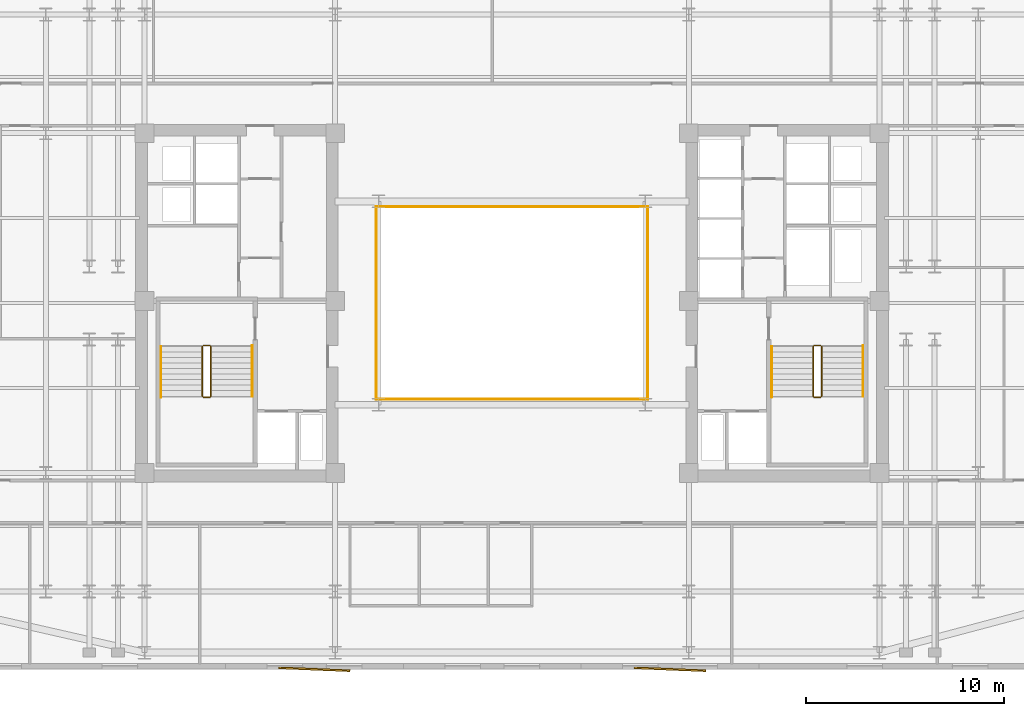
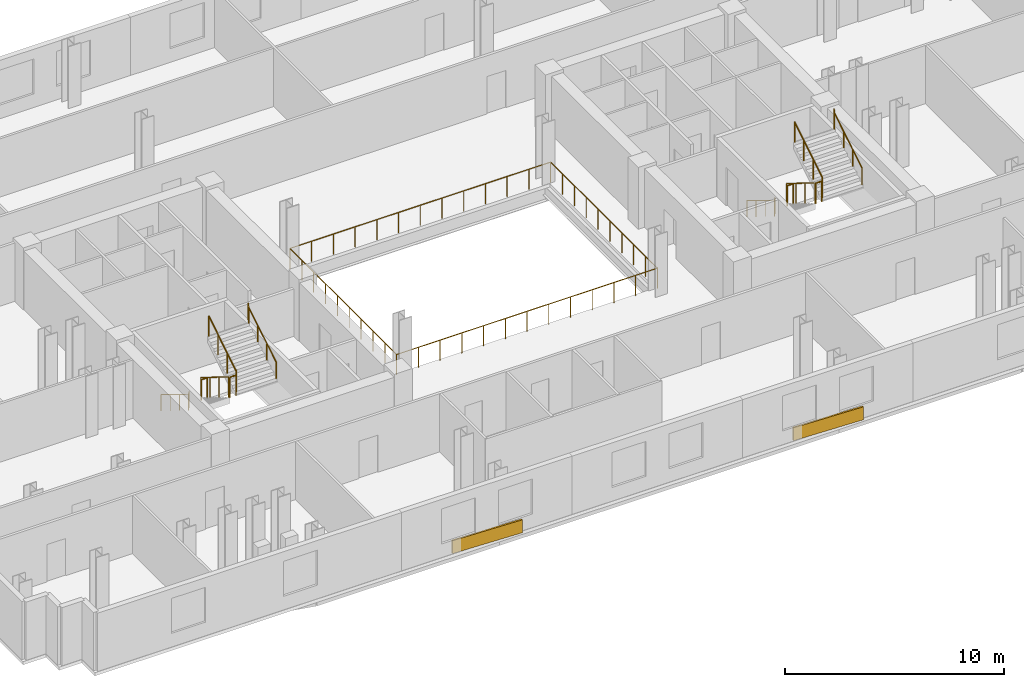
# One storey, part 9 of 10: 16 railings, 2 coverings.
"""IFC4 building model written with IfcOpenShell, lengths in metres."""

from ifc_helpers import new_model, si_unit, direction, frame, origin, origin_2d, place, context, subcontext, project, spatial, rectangle, circle, extrude, material, layer, layer_set, type_object, element, save


model = new_model("IFC4")

# Units and contexts
model_context = context("Model", 3, precision=1e-05, world=origin(), true_north=direction((0.0, 1.0)))
body_context = subcontext(model_context, "Body", "Model", "MODEL_VIEW")
ifc_project = project(units=[si_unit("LENGTHUNIT", "METRE"), si_unit("AREAUNIT", "SQUARE_METRE"), si_unit("VOLUMEUNIT", "CUBIC_METRE"), si_unit("PLANEANGLEUNIT", "RADIAN"), si_unit("MASSUNIT", "GRAM", prefix="KILO")], contexts=[model_context])

# Site, building, storey
site_placement = place(None, origin())
site = spatial("IfcSite", under=ifc_project, at=site_placement, CompositionType="ELEMENT")
building_placement = place(site_placement, origin())
building = spatial("IfcBuilding", under=site, at=building_placement, Name="Velakula Bourse", CompositionType="ELEMENT")
storey_placement = place(building_placement, frame((0.0, 0.0, 141.550048828125)))
storey = spatial("IfcBuildingStorey", under=building, at=storey_placement, Name="L38", CompositionType="ELEMENT", Elevation=141.550048828125)

# Coverings
ifc_material_1 = material(Name="Red kilned clay facing brick masonry", Category="masonry")
ifc_layer = layer(ifc_material_1, 0.090087890625, Name="Red kilned clay facing brick masonry", Category="masonry")
ifc_layer_set = layer_set([ifc_layer], Name="Red kilned clay facing brick masonry")
covering_type = type_object("IfcCoveringType", Name="COV-BRK-FOLD-90", PredefinedType="CLADDING", material=ifc_layer_set)
for number, where, z_axis, x_axis, name in (
    (1, (-10.0, -18.5400390625, 0.0), (0.0, 0.0, 1.0), (0.999158993058, -0.041003738744, 0.0), "L38 Folded Brick Facade Cladding Panel S-B2"),
    (2, (8.0, -18.5400390625, 0.0), (0.0, 0.0, 1.0), (0.999158993058, -0.041003738744, 0.0), "L38 Folded Brick Facade Cladding Panel S-B4"),
):
    element("IfcCovering", number, at=place(storey_placement, frame(where, z_axis=z_axis, x_axis=x_axis)), inside=storey, type_object=covering_type, Name=name, PredefinedType="CLADDING", context=body_context, shape_type="SweptSolid", body=[
        extrude(rectangle(XDim=3.60009765625, YDim=0.090087890625, at=origin_2d()), origin(), (0.0, 0.0, 1.0), 0.719970703125),
    ])

# Railings
ifc_material_2 = material(Name="Brushed grade 316 stainless steel", Category="steel")
railing_type_1 = type_object("IfcRailingType", Name="RLG-ATRIUM-1150", PredefinedType="BALUSTRADE", material=ifc_material_2)
railing_1_placement = place(storey_placement, frame((-6.8798828125, -4.8798828125, 0.0)))
element("IfcRailing", 3, at=railing_1_placement, inside=storey, type_object=railing_type_1, Name="L38 Central Trading Atrium Balustrade S", PredefinedType="BALUSTRADE", context=body_context, shape_type="SweptSolid", body=[
    extrude(circle(Radius=0.02392578125, at=origin_2d()), frame((0.0, 0.0, 1.1259765625), z_axis=(1.0, 0.0, 0.0), x_axis=(0.0, 1.0, 0.0)), (0.0, 0.0, 1.0), 13.759765625),
    extrude(circle(Radius=0.02099609375, at=origin_2d()), origin(), (0.0, 0.0, 1.0), 1.101806640625),
    extrude(circle(Radius=0.02099609375, at=origin_2d()), frame((1.146728515625, 0.0, 0.0)), (0.0, 0.0, 1.0), 1.101806640625),
    extrude(circle(Radius=0.02099609375, at=origin_2d()), frame((2.293212890625, 0.0, 0.0)), (0.0, 0.0, 1.0), 1.101806640625),
    extrude(circle(Radius=0.02099609375, at=origin_2d()), frame((3.43994140625, 0.0, 0.0)), (0.0, 0.0, 1.0), 1.101806640625),
    extrude(circle(Radius=0.02099609375, at=origin_2d()), frame((4.586669921875, 0.0, 0.0)), (0.0, 0.0, 1.0), 1.101806640625),
    extrude(circle(Radius=0.02099609375, at=origin_2d()), frame((5.733154296875, 0.0, 0.0)), (0.0, 0.0, 1.0), 1.101806640625),
    extrude(circle(Radius=0.02099609375, at=origin_2d()), frame((6.8798828125, 0.0, 0.0)), (0.0, 0.0, 1.0), 1.101806640625),
    extrude(circle(Radius=0.02099609375, at=origin_2d()), frame((8.026611328125, 0.0, 0.0)), (0.0, 0.0, 1.0), 1.101806640625),
    extrude(circle(Radius=0.02099609375, at=origin_2d()), frame((9.173095703125, 0.0, 0.0)), (0.0, 0.0, 1.0), 1.101806640625),
    extrude(circle(Radius=0.02099609375, at=origin_2d()), frame((10.31982421875, 0.0, 0.0)), (0.0, 0.0, 1.0), 1.101806640625),
    extrude(circle(Radius=0.02099609375, at=origin_2d()), frame((11.466552734375, 0.0, 0.0)), (0.0, 0.0, 1.0), 1.101806640625),
    extrude(circle(Radius=0.02099609375, at=origin_2d()), frame((12.613037109375, 0.0, 0.0)), (0.0, 0.0, 1.0), 1.101806640625),
    extrude(circle(Radius=0.02099609375, at=origin_2d()), frame((13.759765625, 0.0, 0.0)), (0.0, 0.0, 1.0), 1.101806640625),
])
railing_2_placement = place(storey_placement, frame((6.8798828125, -4.8798828125, 0.0)))
element("IfcRailing", 4, at=railing_2_placement, inside=storey, type_object=railing_type_1, Name="L38 Central Trading Atrium Balustrade E", PredefinedType="BALUSTRADE", context=body_context, shape_type="SweptSolid", body=[
    extrude(circle(Radius=0.02392578125, at=origin_2d()), frame((0.0, 0.0, 1.1259765625), z_axis=(0.0, 1.0, 0.0), x_axis=(-1.0, 0.0, 0.0)), (0.0, 0.0, 1.0), 9.759765625),
    extrude(circle(Radius=0.02099609375, at=origin_2d()), origin(), (0.0, 0.0, 1.0), 1.101806640625),
    extrude(circle(Radius=0.02099609375, at=origin_2d()), frame((0.0, 1.08447265625, 0.0)), (0.0, 0.0, 1.0), 1.101806640625),
    extrude(circle(Radius=0.02099609375, at=origin_2d()), frame((0.0, 2.1689453125, 0.0)), (0.0, 0.0, 1.0), 1.101806640625),
    extrude(circle(Radius=0.02099609375, at=origin_2d()), frame((0.0, 3.253173828125, 0.0)), (0.0, 0.0, 1.0), 1.101806640625),
    extrude(circle(Radius=0.02099609375, at=origin_2d()), frame((0.0, 4.337646484375, 0.0)), (0.0, 0.0, 1.0), 1.101806640625),
    extrude(circle(Radius=0.02099609375, at=origin_2d()), frame((0.0, 5.422119140625, 0.0)), (0.0, 0.0, 1.0), 1.101806640625),
    extrude(circle(Radius=0.02099609375, at=origin_2d()), frame((0.0, 6.506591796875, 0.0)), (0.0, 0.0, 1.0), 1.101806640625),
    extrude(circle(Radius=0.02099609375, at=origin_2d()), frame((0.0, 7.5908203125, 0.0)), (0.0, 0.0, 1.0), 1.101806640625),
    extrude(circle(Radius=0.02099609375, at=origin_2d()), frame((0.0, 8.67529296875, 0.0)), (0.0, 0.0, 1.0), 1.101806640625),
    extrude(circle(Radius=0.02099609375, at=origin_2d()), frame((0.0, 9.759765625, 0.0)), (0.0, 0.0, 1.0), 1.101806640625),
])
railing_3_placement = place(storey_placement, frame((6.8798828125, 4.8798828125, 0.0)))
element("IfcRailing", 5, at=railing_3_placement, inside=storey, type_object=railing_type_1, Name="L38 Central Trading Atrium Balustrade N", PredefinedType="BALUSTRADE", context=body_context, shape_type="SweptSolid", body=[
    extrude(circle(Radius=0.02392578125, at=origin_2d()), frame((0.0, 0.0, 1.1259765625), z_axis=(-1.0, 0.0, 0.0), x_axis=(0.0, -1.0, 0.0)), (0.0, 0.0, 1.0), 13.759765625),
    extrude(circle(Radius=0.02099609375, at=origin_2d()), origin(), (0.0, 0.0, 1.0), 1.101806640625),
    extrude(circle(Radius=0.02099609375, at=origin_2d()), frame((-1.146728515625, 0.0, 0.0)), (0.0, 0.0, 1.0), 1.101806640625),
    extrude(circle(Radius=0.02099609375, at=origin_2d()), frame((-2.293212890625, 0.0, 0.0)), (0.0, 0.0, 1.0), 1.101806640625),
    extrude(circle(Radius=0.02099609375, at=origin_2d()), frame((-3.43994140625, 0.0, 0.0)), (0.0, 0.0, 1.0), 1.101806640625),
    extrude(circle(Radius=0.02099609375, at=origin_2d()), frame((-4.586669921875, 0.0, 0.0)), (0.0, 0.0, 1.0), 1.101806640625),
    extrude(circle(Radius=0.02099609375, at=origin_2d()), frame((-5.733154296875, 0.0, 0.0)), (0.0, 0.0, 1.0), 1.101806640625),
    extrude(circle(Radius=0.02099609375, at=origin_2d()), frame((-6.8798828125, 0.0, 0.0)), (0.0, 0.0, 1.0), 1.101806640625),
    extrude(circle(Radius=0.02099609375, at=origin_2d()), frame((-8.026611328125, 0.0, 0.0)), (0.0, 0.0, 1.0), 1.101806640625),
    extrude(circle(Radius=0.02099609375, at=origin_2d()), frame((-9.173095703125, 0.0, 0.0)), (0.0, 0.0, 1.0), 1.101806640625),
    extrude(circle(Radius=0.02099609375, at=origin_2d()), frame((-10.31982421875, 0.0, 0.0)), (0.0, 0.0, 1.0), 1.101806640625),
    extrude(circle(Radius=0.02099609375, at=origin_2d()), frame((-11.466552734375, 0.0, 0.0)), (0.0, 0.0, 1.0), 1.101806640625),
    extrude(circle(Radius=0.02099609375, at=origin_2d()), frame((-12.613037109375, 0.0, 0.0)), (0.0, 0.0, 1.0), 1.101806640625),
    extrude(circle(Radius=0.02099609375, at=origin_2d()), frame((-13.759765625, 0.0, 0.0)), (0.0, 0.0, 1.0), 1.101806640625),
])
railing_4_placement = place(storey_placement, frame((-6.8798828125, 4.8798828125, 0.0)))
element("IfcRailing", 6, at=railing_4_placement, inside=storey, type_object=railing_type_1, Name="L38 Central Trading Atrium Balustrade W", PredefinedType="BALUSTRADE", context=body_context, shape_type="SweptSolid", body=[
    extrude(circle(Radius=0.02392578125, at=origin_2d()), frame((0.0, 0.0, 1.1259765625), z_axis=(0.0, -1.0, 0.0), x_axis=(1.0, 0.0, 0.0)), (0.0, 0.0, 1.0), 9.759765625),
    extrude(circle(Radius=0.02099609375, at=origin_2d()), origin(), (0.0, 0.0, 1.0), 1.101806640625),
    extrude(circle(Radius=0.02099609375, at=origin_2d()), frame((0.0, -1.08447265625, 0.0)), (0.0, 0.0, 1.0), 1.101806640625),
    extrude(circle(Radius=0.02099609375, at=origin_2d()), frame((0.0, -2.1689453125, 0.0)), (0.0, 0.0, 1.0), 1.101806640625),
    extrude(circle(Radius=0.02099609375, at=origin_2d()), frame((0.0, -3.253173828125, 0.0)), (0.0, 0.0, 1.0), 1.101806640625),
    extrude(circle(Radius=0.02099609375, at=origin_2d()), frame((0.0, -4.337646484375, 0.0)), (0.0, 0.0, 1.0), 1.101806640625),
    extrude(circle(Radius=0.02099609375, at=origin_2d()), frame((0.0, -5.422119140625, 0.0)), (0.0, 0.0, 1.0), 1.101806640625),
    extrude(circle(Radius=0.02099609375, at=origin_2d()), frame((0.0, -6.506591796875, 0.0)), (0.0, 0.0, 1.0), 1.101806640625),
    extrude(circle(Radius=0.02099609375, at=origin_2d()), frame((0.0, -7.5908203125, 0.0)), (0.0, 0.0, 1.0), 1.101806640625),
    extrude(circle(Radius=0.02099609375, at=origin_2d()), frame((0.0, -8.67529296875, 0.0)), (0.0, 0.0, 1.0), 1.101806640625),
    extrude(circle(Radius=0.02099609375, at=origin_2d()), frame((0.0, -9.759765625, 0.0)), (0.0, 0.0, 1.0), 1.101806640625),
])
railing_type_2 = type_object("IfcRailingType", Name="RLG-STAIR-GUARD-1150", PredefinedType="BALUSTRADE", material=ifc_material_2)
railing_5_placement = place(storey_placement, frame((-15.672119140625, -2.199951171875, 0.17236328125)))
element("IfcRailing", 7, at=railing_5_placement, inside=storey, type_object=railing_type_2, Name="L38 ST-W1 stair guard 1", PredefinedType="BALUSTRADE", context=body_context, shape_type="SweptSolid", body=[
    extrude(circle(Radius=0.02490234375, at=origin_2d()), frame((0.0, 0.0, 1.125), z_axis=(0.0, -0.851400495292, 0.524516154772), x_axis=(1.0, 0.0, 0.0)), (0.0, 0.0, 1.0), 2.9599609375),
    extrude(circle(Radius=0.02099609375, at=origin_2d()), origin(), (0.0, 0.0, 1.0), 1.099853515625),
    extrude(circle(Radius=0.02099609375, at=origin_2d()), frame((0.0, -0.840087890625, 0.517578125)), (0.0, 0.0, 1.0), 1.099853515625),
    extrude(circle(Radius=0.02099609375, at=origin_2d()), frame((0.0, -1.679931640625, 1.034912109375)), (0.0, 0.0, 1.0), 1.099853515625),
    extrude(circle(Radius=0.02099609375, at=origin_2d()), frame((0.0, -2.52001953125, 1.552490234375)), (0.0, 0.0, 1.0), 1.099853515625),
])
railing_6_placement = place(storey_placement, frame((-15.6220703125, -4.77001953125, 1.724853515625)))
element("IfcRailing", 8, at=railing_6_placement, inside=storey, type_object=railing_type_2, Name="L38 ST-W1 stair guard 2", PredefinedType="BALUSTRADE", context=body_context, shape_type="SweptSolid", body=[
    extrude(circle(Radius=0.02490234375, at=origin_2d()), frame((0.0, 0.0, 1.125), z_axis=(1.0, 0.0, 0.0), x_axis=(0.0, 1.0, 0.0)), (0.0, 0.0, 1.0), 0.323974609375),
    extrude(circle(Radius=0.02099609375, at=origin_2d()), origin(), (0.0, 0.0, 1.0), 1.099853515625),
    extrude(circle(Radius=0.02099609375, at=origin_2d()), frame((0.323974609375, 0.0, 0.0)), (0.0, 0.0, 1.0), 1.099853515625),
])
railing_7_placement = place(storey_placement, frame((-15.248046875, -4.719970703125, 1.8974609375)))
element("IfcRailing", 9, at=railing_7_placement, inside=storey, type_object=railing_type_2, Name="L38 ST-W1 stair guard 3", PredefinedType="BALUSTRADE", context=body_context, shape_type="SweptSolid", body=[
    extrude(circle(Radius=0.02490234375, at=origin_2d()), frame((0.0, 0.0, 1.125), z_axis=(0.0, 0.851400495292, 0.524516154772), x_axis=(-1.0, 0.0, 0.0)), (0.0, 0.0, 1.0), 2.9599609375),
    extrude(circle(Radius=0.02099609375, at=origin_2d()), origin(), (0.0, 0.0, 1.0), 1.099853515625),
    extrude(circle(Radius=0.02099609375, at=origin_2d()), frame((0.0, 0.840087890625, 0.517578125)), (0.0, 0.0, 1.0), 1.099853515625),
    extrude(circle(Radius=0.02099609375, at=origin_2d()), frame((0.0, 1.679931640625, 1.034912109375)), (0.0, 0.0, 1.0), 1.099853515625),
    extrude(circle(Radius=0.02099609375, at=origin_2d()), frame((0.0, 2.52001953125, 1.552490234375)), (0.0, 0.0, 1.0), 1.099853515625),
])
railing_8_placement = place(storey_placement, frame((-15.6220703125, -2.14990234375, 0.0)))
element("IfcRailing", 10, at=railing_8_placement, inside=storey, type_object=railing_type_2, Name="L38 ST-W1 stair guard 4", PredefinedType="BALUSTRADE", context=body_context, shape_type="SweptSolid", body=[
    extrude(circle(Radius=0.02490234375, at=origin_2d()), frame((0.0, 0.0, 1.125), z_axis=(1.0, 0.0, 0.0), x_axis=(0.0, 1.0, 0.0)), (0.0, 0.0, 1.0), 0.323974609375),
    extrude(circle(Radius=0.02099609375, at=origin_2d()), origin(), (0.0, 0.0, 1.0), 1.099853515625),
    extrude(circle(Radius=0.02099609375, at=origin_2d()), frame((0.323974609375, 0.0, 0.0)), (0.0, 0.0, 1.0), 1.099853515625),
])
railing_9_placement = place(storey_placement, frame((15.248046875, -2.199951171875, 0.17236328125)))
element("IfcRailing", 11, at=railing_9_placement, inside=storey, type_object=railing_type_2, Name="L38 ST-E1 stair guard 1", PredefinedType="BALUSTRADE", context=body_context, shape_type="SweptSolid", body=[
    extrude(circle(Radius=0.02490234375, at=origin_2d()), frame((0.0, 0.0, 1.125), z_axis=(0.0, -0.851400495292, 0.524516154772), x_axis=(1.0, 0.0, 0.0)), (0.0, 0.0, 1.0), 2.9599609375),
    extrude(circle(Radius=0.02099609375, at=origin_2d()), origin(), (0.0, 0.0, 1.0), 1.099853515625),
    extrude(circle(Radius=0.02099609375, at=origin_2d()), frame((0.0, -0.840087890625, 0.517578125)), (0.0, 0.0, 1.0), 1.099853515625),
    extrude(circle(Radius=0.02099609375, at=origin_2d()), frame((0.0, -1.679931640625, 1.034912109375)), (0.0, 0.0, 1.0), 1.099853515625),
    extrude(circle(Radius=0.02099609375, at=origin_2d()), frame((0.0, -2.52001953125, 1.552490234375)), (0.0, 0.0, 1.0), 1.099853515625),
])
railing_10_placement = place(storey_placement, frame((15.298095703125, -4.77001953125, 1.724853515625)))
element("IfcRailing", 12, at=railing_10_placement, inside=storey, type_object=railing_type_2, Name="L38 ST-E1 stair guard 2", PredefinedType="BALUSTRADE", context=body_context, shape_type="SweptSolid", body=[
    extrude(circle(Radius=0.02490234375, at=origin_2d()), frame((0.0, 0.0, 1.125), z_axis=(1.0, 0.0, 0.0), x_axis=(0.0, 1.0, 0.0)), (0.0, 0.0, 1.0), 0.323974609375),
    extrude(circle(Radius=0.02099609375, at=origin_2d()), origin(), (0.0, 0.0, 1.0), 1.099853515625),
    extrude(circle(Radius=0.02099609375, at=origin_2d()), frame((0.323974609375, 0.0, 0.0)), (0.0, 0.0, 1.0), 1.099853515625),
])
railing_11_placement = place(storey_placement, frame((15.672119140625, -4.719970703125, 1.8974609375)))
element("IfcRailing", 13, at=railing_11_placement, inside=storey, type_object=railing_type_2, Name="L38 ST-E1 stair guard 3", PredefinedType="BALUSTRADE", context=body_context, shape_type="SweptSolid", body=[
    extrude(circle(Radius=0.02490234375, at=origin_2d()), frame((0.0, 0.0, 1.125), z_axis=(0.0, 0.851400495292, 0.524516154772), x_axis=(-1.0, 0.0, 0.0)), (0.0, 0.0, 1.0), 2.9599609375),
    extrude(circle(Radius=0.02099609375, at=origin_2d()), origin(), (0.0, 0.0, 1.0), 1.099853515625),
    extrude(circle(Radius=0.02099609375, at=origin_2d()), frame((0.0, 0.840087890625, 0.517578125)), (0.0, 0.0, 1.0), 1.099853515625),
    extrude(circle(Radius=0.02099609375, at=origin_2d()), frame((0.0, 1.679931640625, 1.034912109375)), (0.0, 0.0, 1.0), 1.099853515625),
    extrude(circle(Radius=0.02099609375, at=origin_2d()), frame((0.0, 2.52001953125, 1.552490234375)), (0.0, 0.0, 1.0), 1.099853515625),
])
railing_12_placement = place(storey_placement, frame((15.298095703125, -2.14990234375, 0.0)))
element("IfcRailing", 14, at=railing_12_placement, inside=storey, type_object=railing_type_2, Name="L38 ST-E1 stair guard 4", PredefinedType="BALUSTRADE", context=body_context, shape_type="SweptSolid", body=[
    extrude(circle(Radius=0.02490234375, at=origin_2d()), frame((0.0, 0.0, 1.125), z_axis=(1.0, 0.0, 0.0), x_axis=(0.0, 1.0, 0.0)), (0.0, 0.0, 1.0), 0.323974609375),
    extrude(circle(Radius=0.02099609375, at=origin_2d()), origin(), (0.0, 0.0, 1.0), 1.099853515625),
    extrude(circle(Radius=0.02099609375, at=origin_2d()), frame((0.323974609375, 0.0, 0.0)), (0.0, 0.0, 1.0), 1.099853515625),
])
railing_type_3 = type_object("IfcRailingType", Name="RLG-STAIR-HAND-920", PredefinedType="HANDRAIL", material=ifc_material_2)
railing_13_placement = place(storey_placement, frame((-17.77001953125, -2.199951171875, 0.17236328125)))
element("IfcRailing", 15, at=railing_13_placement, inside=storey, type_object=railing_type_3, Name="L38 ST-W1 stair handrail 1", PredefinedType="HANDRAIL", context=body_context, shape_type="SweptSolid", body=[
    extrude(circle(Radius=0.02099609375, at=origin_2d()), frame((0.0, 0.0, 0.89892578125), z_axis=(0.0, -0.851400495292, 0.524516154772), x_axis=(1.0, 0.0, 0.0)), (0.0, 0.0, 1.0), 2.9599609375),
    extrude(circle(Radius=0.02099609375, at=origin_2d()), frame((0.0, -2.52001953125, 2.451416015625), z_axis=(0.0, -0.22596628056, 0.974135124123), x_axis=(1.0, 0.0, 0.0)), (0.0, 0.0, 1.0), 0.17724609375),
    extrude(circle(Radius=0.02099609375, at=origin_2d()), frame((0.0, -2.56005859375, 2.6240234375), z_axis=(0.0, -1.0, 0.0), x_axis=(1.0, 0.0, 0.0)), (0.0, 0.0, 1.0), 0.0048828125),
    extrude(circle(Radius=0.02099609375, at=origin_2d()), origin(), (0.0, 0.0, 1.0), 0.8779296875),
    extrude(circle(Radius=0.02099609375, at=origin_2d()), frame((0.0, -0.840087890625, 0.517578125)), (0.0, 0.0, 1.0), 0.8779296875),
    extrude(circle(Radius=0.02099609375, at=origin_2d()), frame((0.0, -1.679931640625, 1.034912109375)), (0.0, 0.0, 1.0), 0.8779296875),
    extrude(circle(Radius=0.02099609375, at=origin_2d()), frame((0.0, -2.52001953125, 1.552490234375)), (0.0, 0.0, 1.0), 0.8779296875),
    extrude(circle(Radius=0.02099609375, at=origin_2d()), frame((0.0, -2.56005859375, 1.72509765625)), (0.0, 0.0, 1.0), 0.8779296875),
    extrude(circle(Radius=0.02099609375, at=origin_2d()), frame((0.0, -2.56494140625, 1.72509765625)), (0.0, 0.0, 1.0), 0.8779296875),
])
railing_14_placement = place(storey_placement, frame((-13.14990234375, -4.719970703125, 1.8974609375)))
element("IfcRailing", 16, at=railing_14_placement, inside=storey, type_object=railing_type_3, Name="L38 ST-W1 stair handrail 2", PredefinedType="HANDRAIL", context=body_context, shape_type="SweptSolid", body=[
    extrude(circle(Radius=0.02099609375, at=origin_2d()), frame((0.0, 0.0, 0.89892578125), z_axis=(0.0, 0.851400495292, 0.524516154772), x_axis=(-1.0, 0.0, 0.0)), (0.0, 0.0, 1.0), 2.9599609375),
    extrude(circle(Radius=0.02099609375, at=origin_2d()), frame((0.0, 2.52001953125, 2.451416015625), z_axis=(0.0, 0.22596628056, 0.974135124123), x_axis=(-1.0, 0.0, 0.0)), (0.0, 0.0, 1.0), 0.17724609375),
    extrude(circle(Radius=0.02099609375, at=origin_2d()), frame((0.0, 2.56005859375, 2.6240234375), z_axis=(0.0, 1.0, 0.0), x_axis=(-1.0, 0.0, 0.0)), (0.0, 0.0, 1.0), 0.0048828125),
    extrude(circle(Radius=0.02099609375, at=origin_2d()), origin(), (0.0, 0.0, 1.0), 0.8779296875),
    extrude(circle(Radius=0.02099609375, at=origin_2d()), frame((0.0, 0.840087890625, 0.517578125)), (0.0, 0.0, 1.0), 0.8779296875),
    extrude(circle(Radius=0.02099609375, at=origin_2d()), frame((0.0, 1.679931640625, 1.034912109375)), (0.0, 0.0, 1.0), 0.8779296875),
    extrude(circle(Radius=0.02099609375, at=origin_2d()), frame((0.0, 2.52001953125, 1.552490234375)), (0.0, 0.0, 1.0), 0.8779296875),
    extrude(circle(Radius=0.02099609375, at=origin_2d()), frame((0.0, 2.56005859375, 1.72509765625)), (0.0, 0.0, 1.0), 0.8779296875),
    extrude(circle(Radius=0.02099609375, at=origin_2d()), frame((0.0, 2.56494140625, 1.72509765625)), (0.0, 0.0, 1.0), 0.8779296875),
])
railing_15_placement = place(storey_placement, frame((13.14990234375, -2.199951171875, 0.17236328125)))
element("IfcRailing", 17, at=railing_15_placement, inside=storey, type_object=railing_type_3, Name="L38 ST-E1 stair handrail 1", PredefinedType="HANDRAIL", context=body_context, shape_type="SweptSolid", body=[
    extrude(circle(Radius=0.02099609375, at=origin_2d()), frame((0.0, 0.0, 0.89892578125), z_axis=(0.0, -0.851400495292, 0.524516154772), x_axis=(1.0, 0.0, 0.0)), (0.0, 0.0, 1.0), 2.9599609375),
    extrude(circle(Radius=0.02099609375, at=origin_2d()), frame((0.0, -2.52001953125, 2.451416015625), z_axis=(0.0, -0.22596628056, 0.974135124123), x_axis=(1.0, 0.0, 0.0)), (0.0, 0.0, 1.0), 0.17724609375),
    extrude(circle(Radius=0.02099609375, at=origin_2d()), frame((0.0, -2.56005859375, 2.6240234375), z_axis=(0.0, -1.0, 0.0), x_axis=(1.0, 0.0, 0.0)), (0.0, 0.0, 1.0), 0.0048828125),
    extrude(circle(Radius=0.02099609375, at=origin_2d()), origin(), (0.0, 0.0, 1.0), 0.8779296875),
    extrude(circle(Radius=0.02099609375, at=origin_2d()), frame((0.0, -0.840087890625, 0.517578125)), (0.0, 0.0, 1.0), 0.8779296875),
    extrude(circle(Radius=0.02099609375, at=origin_2d()), frame((0.0, -1.679931640625, 1.034912109375)), (0.0, 0.0, 1.0), 0.8779296875),
    extrude(circle(Radius=0.02099609375, at=origin_2d()), frame((0.0, -2.52001953125, 1.552490234375)), (0.0, 0.0, 1.0), 0.8779296875),
    extrude(circle(Radius=0.02099609375, at=origin_2d()), frame((0.0, -2.56005859375, 1.72509765625)), (0.0, 0.0, 1.0), 0.8779296875),
    extrude(circle(Radius=0.02099609375, at=origin_2d()), frame((0.0, -2.56494140625, 1.72509765625)), (0.0, 0.0, 1.0), 0.8779296875),
])
railing_16_placement = place(storey_placement, frame((17.77001953125, -4.719970703125, 1.8974609375)))
element("IfcRailing", 18, at=railing_16_placement, inside=storey, type_object=railing_type_3, Name="L38 ST-E1 stair handrail 2", PredefinedType="HANDRAIL", context=body_context, shape_type="SweptSolid", body=[
    extrude(circle(Radius=0.02099609375, at=origin_2d()), frame((0.0, 0.0, 0.89892578125), z_axis=(0.0, 0.851400495292, 0.524516154772), x_axis=(-1.0, 0.0, 0.0)), (0.0, 0.0, 1.0), 2.9599609375),
    extrude(circle(Radius=0.02099609375, at=origin_2d()), frame((0.0, 2.52001953125, 2.451416015625), z_axis=(0.0, 0.22596628056, 0.974135124123), x_axis=(-1.0, 0.0, 0.0)), (0.0, 0.0, 1.0), 0.17724609375),
    extrude(circle(Radius=0.02099609375, at=origin_2d()), frame((0.0, 2.56005859375, 2.6240234375), z_axis=(0.0, 1.0, 0.0), x_axis=(-1.0, 0.0, 0.0)), (0.0, 0.0, 1.0), 0.0048828125),
    extrude(circle(Radius=0.02099609375, at=origin_2d()), origin(), (0.0, 0.0, 1.0), 0.8779296875),
    extrude(circle(Radius=0.02099609375, at=origin_2d()), frame((0.0, 0.840087890625, 0.517578125)), (0.0, 0.0, 1.0), 0.8779296875),
    extrude(circle(Radius=0.02099609375, at=origin_2d()), frame((0.0, 1.679931640625, 1.034912109375)), (0.0, 0.0, 1.0), 0.8779296875),
    extrude(circle(Radius=0.02099609375, at=origin_2d()), frame((0.0, 2.52001953125, 1.552490234375)), (0.0, 0.0, 1.0), 0.8779296875),
    extrude(circle(Radius=0.02099609375, at=origin_2d()), frame((0.0, 2.56005859375, 1.72509765625)), (0.0, 0.0, 1.0), 0.8779296875),
    extrude(circle(Radius=0.02099609375, at=origin_2d()), frame((0.0, 2.56494140625, 1.72509765625)), (0.0, 0.0, 1.0), 0.8779296875),
])

save(model, "model.ifc")
